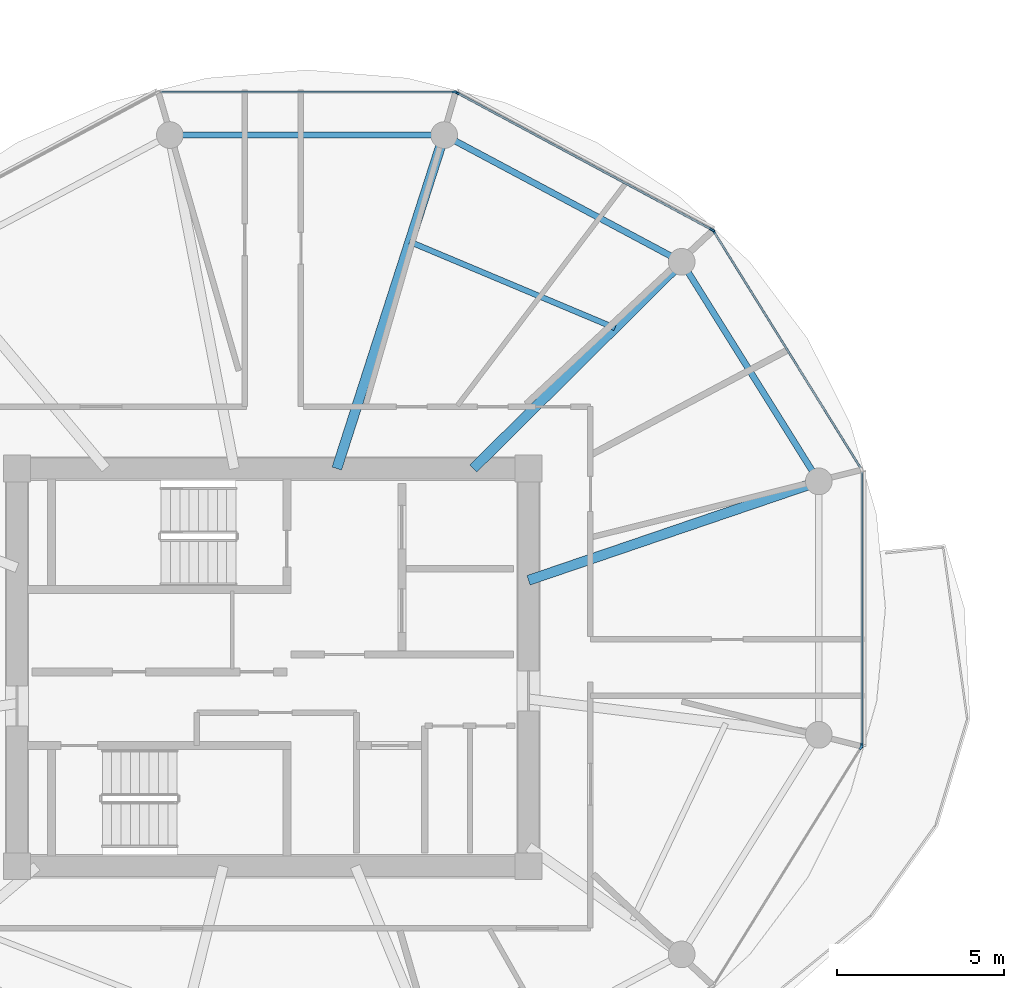
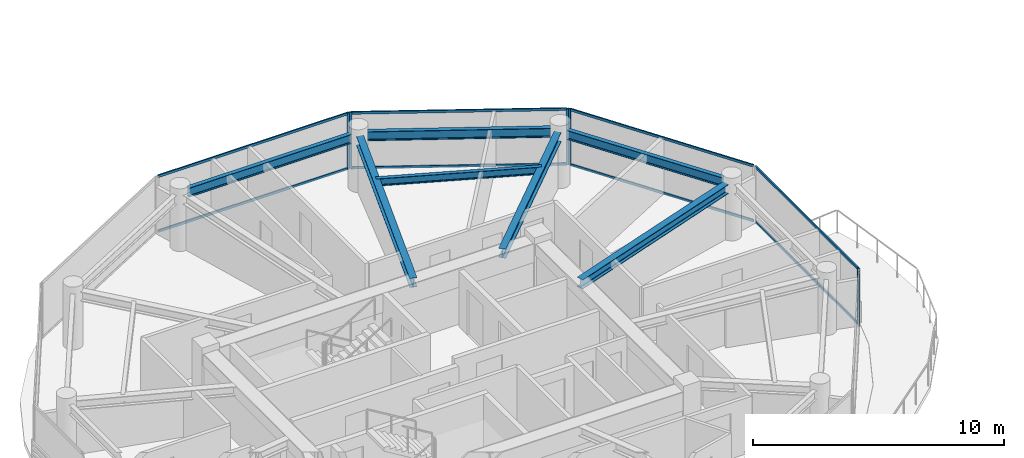
# One storey, part 5 of 22: 14 members, 7 beams, 5 elements without a shape of their own.
"""IFC4 building model written with IfcOpenShell, lengths in metres."""

import ifcopenshell
import ifcopenshell.guid

model = None  # the IFC model being written
_history = None  # IfcOwnerHistory: only IFC2X3 demands one
_inside = {}  # id of a spatial element -> (the spatial element, [elements in it])
_under = {}  # id of a project, library or spatial element -> (it, [spatial elements below it])
_declared = {}  # id of a project -> (the project, [libraries it declares])
_typed = {}  # id of a type object -> (the type object, [elements of that type])
_made_of = {}  # id of a material, layer set ... -> (it, [elements and type objects made of it])


def new_model(schema):
    """Start an empty IFC model of exactly this schema.

    Asked for "IFC4X3", IfcOpenShell would pick the latest addendum, in which some entities
    have other attributes; the version numbers below select the first issue.
    IFC2X3 requires an IfcOwnerHistory on every rooted entity: one is made here for all.
    """
    global model, _history
    if schema == "IFC4X3":
        model = ifcopenshell.file(schema_version=(4, 3, 0, 0))
    else:
        model = ifcopenshell.file(schema=schema)
    _inside.clear()
    _under.clear()
    _declared.clear()
    _typed.clear()
    _made_of.clear()
    _history = None
    if model.schema == "IFC2X3":
        org = make("IfcOrganization", Name="unknown")
        user = make(
            "IfcPersonAndOrganization",
            ThePerson=make("IfcPerson", FamilyName="unknown"),
            TheOrganization=org,
        )
        app = make(
            "IfcApplication",
            ApplicationDeveloper=org,
            Version="unknown",
            ApplicationFullName="unknown",
            ApplicationIdentifier="unknown",
        )
        _history = make(
            "IfcOwnerHistory",
            OwningUser=user,
            OwningApplication=app,
            ChangeAction="ADDED",
            CreationDate=0,
        )
    return model


def make(cls, **values):
    """One entity of the class cls with the attributes given. An attribute that is None is left unset."""
    return model.create_entity(
        cls, **{name: value for name, value in values.items() if value is not None}
    )


def rooted(cls, **values):
    """An entity with a GlobalId (a new one), such as an element, a storey or a relation."""
    return make(cls, GlobalId=ifcopenshell.guid.new(), OwnerHistory=_history, **values)


def si_unit(unit_type, name, prefix=None):
    """IfcSIUnit, for example si_unit("LENGTHUNIT", "METRE", prefix="MILLI")."""
    return make("IfcSIUnit", UnitType=unit_type, Prefix=prefix, Name=name)


def assignment(units):
    """IfcUnitAssignment: the units of a project."""
    return None if units is None else make("IfcUnitAssignment", Units=units)


def point(xyz):
    """IfcCartesianPoint."""
    return None if xyz is None else make("IfcCartesianPoint", Coordinates=xyz)


def direction(xyz):
    """IfcDirection."""
    return None if xyz is None else make("IfcDirection", DirectionRatios=xyz)


def frame(location, z_axis=None, x_axis=None):
    """IfcAxis2Placement3D, a coordinate frame: its origin and axes. An axis left out is left unset."""
    return make(
        "IfcAxis2Placement3D",
        Location=point(location),
        Axis=direction(z_axis),
        RefDirection=direction(x_axis),
    )


def frame_2d(location, x_axis=None):
    """IfcAxis2Placement2D, a coordinate frame in the plane: its origin and x axis."""
    return make(
        "IfcAxis2Placement2D", Location=point(location), RefDirection=direction(x_axis)
    )


def origin():
    """The frame at (0, 0, 0) with its axes left unset."""
    return frame((0.0, 0.0, 0.0))


def origin_2d():
    """The frame at (0, 0) in the plane with its x axis left unset."""
    return frame_2d((0.0, 0.0))


def place(relative_to, where):
    """IfcLocalPlacement: puts the frame where relative to a parent placement (None: the world)."""
    return make(
        "IfcLocalPlacement", PlacementRelTo=relative_to, RelativePlacement=where
    )


def context(
    kind, dimensions, precision=None, world=None, true_north=None, identifier=None
):
    """IfcGeometricRepresentationContext, for example the 3D "Model" context."""
    return make(
        "IfcGeometricRepresentationContext",
        ContextIdentifier=identifier,
        ContextType=kind,
        CoordinateSpaceDimension=dimensions,
        Precision=precision,
        WorldCoordinateSystem=world,
        TrueNorth=true_north,
    )


def subcontext(parent, identifier, kind, view, scale=None):
    """IfcGeometricRepresentationSubContext, for example "Body" below "Model"."""
    return make(
        "IfcGeometricRepresentationSubContext",
        ContextIdentifier=identifier,
        ContextType=kind,
        ParentContext=parent,
        TargetScale=scale,
        TargetView=view,
    )


def project(units=None, contexts=None):
    """IfcProject with its units and contexts."""
    return rooted(
        "IfcProject",
        Name="project",
        RepresentationContexts=contexts,
        UnitsInContext=assignment(units),
    )


def spatial(cls, under=None, at=None, **own):
    """A site, building, storey or space (cls), placed at a placement, below another one or the project."""
    s = rooted(cls, ObjectPlacement=at, **own)
    if under is not None:
        _under.setdefault(under.id(), (under, []))[1].append(s)
    return s


def profile(cls, at=None, kind="AREA", **sizes):
    """A parametric profile (cls). Its sizes go by their IFC names, for example OverallWidth=200.0."""
    return make(cls, ProfileType=kind, Position=at, **sizes)


def rectangle(**sizes):
    """IfcRectangleProfileDef."""
    return profile("IfcRectangleProfileDef", **sizes)


def i_section(**sizes):
    """IfcIShapeProfileDef."""
    return profile("IfcIShapeProfileDef", **sizes)


def extrude(swept, where, along, depth):
    """IfcExtrudedAreaSolid: the profile swept, set in the frame where, extruded along a direction by depth."""
    return make(
        "IfcExtrudedAreaSolid",
        SweptArea=swept,
        Position=where,
        ExtrudedDirection=direction(along),
        Depth=depth,
    )


def shape(context_of_items, identifier, shape_type, items):
    """IfcShapeRepresentation: the items that make up one representation, for example the "Body"."""
    return make(
        "IfcShapeRepresentation",
        ContextOfItems=context_of_items,
        RepresentationIdentifier=identifier,
        RepresentationType=shape_type,
        Items=items,
    )


def source(mapping_origin, context_of_items, identifier, shape_type, items):
    """IfcRepresentationMap: a shape defined once, which mapped items show again and again."""
    return make(
        "IfcRepresentationMap",
        MappingOrigin=mapping_origin,
        MappedRepresentation=shape(context_of_items, identifier, shape_type, items),
    )


def transform(
    local_origin,
    x_axis=None,
    y_axis=None,
    z_axis=None,
    scale=None,
    scale2=None,
    scale3=None,
    uniform=True,
):
    """IfcCartesianTransformationOperator3D, or its non-uniform kind. x_axis, y_axis, z_axis: its Axis1, 2, 3."""
    if uniform:
        return make(
            "IfcCartesianTransformationOperator3D",
            Axis1=direction(x_axis),
            Axis2=direction(y_axis),
            LocalOrigin=point(local_origin),
            Scale=scale,
            Axis3=direction(z_axis),
        )
    return make(
        "IfcCartesianTransformationOperator3DnonUniform",
        Axis1=direction(x_axis),
        Axis2=direction(y_axis),
        LocalOrigin=point(local_origin),
        Scale=scale,
        Axis3=direction(z_axis),
        Scale2=scale2,
        Scale3=scale3,
    )


def mapped(mapping_source, mapping_target):
    """IfcMappedItem: shows the shape of a source again, moved by a transform."""
    return make(
        "IfcMappedItem", MappingSource=mapping_source, MappingTarget=mapping_target
    )


def material(Name=None, Category=None):
    """IfcMaterial."""
    return make("IfcMaterial", Name=Name, Category=Category)


def layer(
    of_material, thickness, ventilated=None, Name=None, Category=None, Priority=None
):
    """IfcMaterialLayer: one layer of a wall or slab, of a material (None: an air gap)."""
    return make(
        "IfcMaterialLayer",
        Material=of_material,
        LayerThickness=thickness,
        IsVentilated=ventilated,
        Name=Name,
        Category=Category,
        Priority=Priority,
    )


def layer_set(layers, Name=None):
    """IfcMaterialLayerSet."""
    return make("IfcMaterialLayerSet", MaterialLayers=layers, LayerSetName=Name)


def material_profile(
    of_material, cross_section, Name=None, Category=None, Priority=None
):
    """IfcMaterialProfile: a cross section and its material."""
    return make(
        "IfcMaterialProfile",
        Name=Name,
        Material=of_material,
        Profile=cross_section,
        Priority=Priority,
        Category=Category,
    )


def profile_set(profiles, Name=None, composite=None):
    """IfcMaterialProfileSet."""
    return make(
        "IfcMaterialProfileSet",
        Name=Name,
        MaterialProfiles=profiles,
        CompositeProfile=composite,
    )


def made_of(thing, what):
    """Note that an element or type object is made of a material, layer set ...; save() writes the relation."""
    if what is not None:
        _made_of.setdefault(what.id(), (what, []))[1].append(thing)
    return thing


def type_object(cls, material=None, **own):
    """A type object (cls), such as IfcWallType, which elements share."""
    return made_of(rooted(cls, **own), material)


def type_shapes(of_type, sources):
    """Give a type object the sources (RepresentationMaps) that its elements show as mapped items."""
    of_type.RepresentationMaps = sources


def element(
    cls,
    number,
    at=None,
    inside=None,
    cuts=None,
    type_object=None,
    material=None,
    context=None,
    identifier="Body",
    shape_type=None,
    held_by="IfcProductDefinitionShape",
    body=None,
    shapes=None,
    **own,
):
    """One element of the class cls, such as IfcWall. Its Tag is "e" and its number.

    at: its placement. inside: the storey or other place that contains it. cuts: it is an
    opening in that element (IfcRelVoidsElement). A single representation is given by context,
    identifier, shape_type and body (its items); several are given by shapes. held_by: the class
    of the entity that holds the representations. save() writes the other relations.
    """
    e = rooted(cls, Tag="e%d" % number, ObjectPlacement=at, **own)
    if body is not None:
        shapes = [shape(context, identifier, shape_type, body)]
    if shapes is not None:
        e.Representation = make(held_by, Representations=shapes)
    if inside is not None:
        _inside.setdefault(inside.id(), (inside, []))[1].append(e)
    if cuts is not None:
        rooted(
            "IfcRelVoidsElement", RelatingBuildingElement=cuts, RelatedOpeningElement=e
        )
    if type_object is not None:
        _typed.setdefault(type_object.id(), (type_object, []))[1].append(e)
    return made_of(e, material)


def aggregate(whole, parts):
    """IfcRelAggregates: a whole, such as a stair, and the parts it consists of."""
    return rooted("IfcRelAggregates", RelatingObject=whole, RelatedObjects=parts)


def save(model, path):
    """Write the relations noted so far, then the file.

    IfcRelAggregates (storeys below a building ...), IfcRelContainedInSpatialStructure (elements
    in a storey), IfcRelDefinesByType, IfcRelAssociatesMaterial and IfcRelDeclares: one each for
    every whole, place, type object, material and project.
    """
    for whole, parts in _under.values():
        aggregate(whole, parts)
    for where, things in _inside.values():
        rooted(
            "IfcRelContainedInSpatialStructure",
            RelatedElements=things,
            RelatingStructure=where,
        )
    for kind, things in _typed.values():
        rooted("IfcRelDefinesByType", RelatedObjects=things, RelatingType=kind)
    for what, things in _made_of.values():
        rooted("IfcRelAssociatesMaterial", RelatedObjects=things, RelatingMaterial=what)
    for by, libraries in _declared.values():
        rooted("IfcRelDeclares", RelatingContext=by, RelatedDefinitions=libraries)
    model.write(path)


model = new_model("IFC4")

# Units and contexts
model_context = context("Model", 3, precision=1e-05, world=origin(), true_north=direction((0.0, 1.0)))
body_context = subcontext(model_context, "Body", "Model", "MODEL_VIEW")
ifc_project = project(units=[si_unit("LENGTHUNIT", "METRE"), si_unit("AREAUNIT", "SQUARE_METRE"), si_unit("VOLUMEUNIT", "CUBIC_METRE"), si_unit("PLANEANGLEUNIT", "RADIAN"), si_unit("MASSUNIT", "GRAM", prefix="KILO")], contexts=[model_context])

# Site, building, storey
site_placement = place(None, origin())
site = spatial("IfcSite", under=ifc_project, at=site_placement, CompositionType="ELEMENT")
building_placement = place(site_placement, origin())
building = spatial("IfcBuilding", under=site, at=building_placement, Name="Norrkilde Senior Care Towers", CompositionType="ELEMENT")
storey_placement = place(building_placement, frame((0.0, 0.0, 183.10009765625)))
storey = spatial("IfcBuildingStorey", under=building, at=storey_placement, Name="L57", CompositionType="ELEMENT", Elevation=183.10009765625)

# Beams
ifc_material_1 = material(Name="Steel S355", Category="steel")
ifc_material_profile_1 = material_profile(ifc_material_1, i_section(OverallWidth=0.18994140625, OverallDepth=0.449951171875, WebThickness=0.009521484375, FlangeThickness=0.0146484375, FilletRadius=0.02099609375, at=origin_2d()), Name="IPE 450")
ifc_profile_set_1 = profile_set([ifc_material_profile_1], Name="Steel S355")
beam_type_1 = type_object("IfcBeamType", Name="Perimeter Ring Spandrel Z3 IPE450", PredefinedType="SPANDREL", material=ifc_profile_set_1)
shared_shape_1 = source(origin(), body_context, "Body", "SweptSolid", [
    extrude(i_section(OverallWidth=0.18994140625, OverallDepth=0.449951171875, WebThickness=0.009521484375, FlangeThickness=0.0146484375, FilletRadius=0.02099609375, at=origin_2d()), origin(), (0.0, 0.0, 1.0), 7.0234375),
])
beam_1_placement = place(storey_placement, frame((-11.855712890625, 5.872314453125, 2.5048828125), z_axis=(-0.529789577822, 0.848129119433, 0.0), x_axis=(-0.848129119433, -0.529789577822, 0.0)))
element("IfcBeam", 1, at=beam_1_placement, inside=storey, type_object=beam_type_1, Name="L57 Drum W Perimeter Spandrel 01", PredefinedType="SPANDREL", context=body_context, shape_type="MappedRepresentation", body=[
    mapped(shared_shape_1, transform((0.0, 0.0, 0.0), x_axis=(1.0, 0.0, 0.0), y_axis=(0.0, 1.0, 0.0), z_axis=(0.0, 0.0, 1.0), scale=1.0)),
])
ifc_material_profile_2 = material_profile(ifc_material_1, i_section(OverallWidth=0.300048828125, OverallDepth=0.449951171875, WebThickness=0.013916015625, FlangeThickness=0.02587890625, FilletRadius=0.027099609375, at=origin_2d()), Name="HEB 450")
ifc_profile_set_2 = profile_set([ifc_material_profile_2], Name="Steel S355")
beam_type_2 = type_object("IfcBeamType", Name="Radial Floor Beam Z3 HEB450", PredefinedType="BEAM", material=ifc_profile_set_2)
shared_shape_2 = source(origin(), body_context, "Body", "SweptSolid", [
    extrude(i_section(OverallWidth=0.300048828125, OverallDepth=0.449951171875, WebThickness=0.013916015625, FlangeThickness=0.02587890625, FilletRadius=0.027099609375, at=origin_2d()), origin(), (0.0, 0.0, 1.0), 8.8154296875),
])
beam_2_placement = place(storey_placement, frame((-20.35009765625, 2.607177734375, 2.5048828125), z_axis=(0.946540556878, 0.322584832539, 0.0), x_axis=(-0.322584832539, 0.946540556878, 0.0)))
element("IfcBeam", 2, at=beam_2_placement, inside=storey, type_object=beam_type_2, Name="L57 Drum W Radial Floor Beam 01", PredefinedType="BEAM", context=body_context, shape_type="MappedRepresentation", body=[
    mapped(shared_shape_2, transform((0.0, 0.0, 0.0), x_axis=(1.0, 0.0, 0.0), y_axis=(0.0, 1.0, 0.0), z_axis=(0.0, 0.0, 1.0), scale=1.0)),
])
shared_shape_3 = source(origin(), body_context, "Body", "SweptSolid", [
    extrude(i_section(OverallWidth=0.18994140625, OverallDepth=0.449951171875, WebThickness=0.009521484375, FlangeThickness=0.0146484375, FilletRadius=0.02099609375, at=origin_2d()), origin(), (0.0, 0.0, 1.0), 7.333740234375),
])
beam_3_placement = place(storey_placement, frame((-16.0849609375, 12.303955078125, 2.5048828125), z_axis=(-0.882247866069, 0.470785198172, 0.0), x_axis=(-0.470785198172, -0.882247866069, 0.0)))
element("IfcBeam", 3, at=beam_3_placement, inside=storey, type_object=beam_type_1, Name="L57 Drum W Perimeter Spandrel 02", PredefinedType="SPANDREL", context=body_context, shape_type="MappedRepresentation", body=[
    mapped(shared_shape_3, transform((0.0, 0.0, 0.0), x_axis=(1.0, 0.0, 0.0), y_axis=(0.0, 1.0, 0.0), z_axis=(0.0, 0.0, 1.0), scale=1.0)),
])
shared_shape_4 = source(origin(), body_context, "Body", "SweptSolid", [
    extrude(i_section(OverallWidth=0.300048828125, OverallDepth=0.449951171875, WebThickness=0.013916015625, FlangeThickness=0.02587890625, FilletRadius=0.027099609375, at=origin_2d()), origin(), (0.0, 0.0, 1.0), 8.421630859375),
])
beam_4_placement = place(storey_placement, frame((-22.001953125, 5.949951171875, 2.5048828125), z_axis=(0.709956495972, 0.704245535184, 0.0), x_axis=(-0.704245535184, 0.709956495972, 0.0)))
element("IfcBeam", 4, at=beam_4_placement, inside=storey, type_object=beam_type_2, Name="L57 Drum W Radial Floor Beam 02", PredefinedType="BEAM", context=body_context, shape_type="MappedRepresentation", body=[
    mapped(shared_shape_4, transform((0.0, 0.0, 0.0), x_axis=(1.0, 0.0, 0.0), y_axis=(0.0, 1.0, 0.0), z_axis=(0.0, 0.0, 1.0), scale=1.0)),
])
shared_shape_5 = source(origin(), body_context, "Body", "SweptSolid", [
    extrude(i_section(OverallWidth=0.18994140625, OverallDepth=0.449951171875, WebThickness=0.009521484375, FlangeThickness=0.0146484375, FilletRadius=0.02099609375, at=origin_2d()), origin(), (0.0, 0.0, 1.0), 7.484619140625),
])
type_shapes(beam_type_1, [shared_shape_1, shared_shape_3, shared_shape_5])
beam_5_placement = place(storey_placement, frame((-23.232666015625, 15.92626953125, 2.5048828125), z_axis=(-1.0, 0.0, 0.0), x_axis=(0.0, -1.0, 0.0)))
element("IfcBeam", 5, at=beam_5_placement, inside=storey, type_object=beam_type_1, Name="L57 Drum W Perimeter Spandrel 03", PredefinedType="SPANDREL", context=body_context, shape_type="MappedRepresentation", body=[
    mapped(shared_shape_5, transform((0.0, 0.0, 0.0), x_axis=(1.0, 0.0, 0.0), y_axis=(0.0, 1.0, 0.0), z_axis=(0.0, 0.0, 1.0), scale=1.0)),
])
shared_shape_6 = source(origin(), body_context, "Body", "SweptSolid", [
    extrude(i_section(OverallWidth=0.300048828125, OverallDepth=0.449951171875, WebThickness=0.013916015625, FlangeThickness=0.02587890625, FilletRadius=0.027099609375, at=origin_2d()), origin(), (0.0, 0.0, 1.0), 10.120361328125),
])
type_shapes(beam_type_2, [shared_shape_2, shared_shape_4, shared_shape_6])
beam_6_placement = place(storey_placement, frame((-26.08447265625, 5.949951171875, 2.5048828125), z_axis=(0.306440973744, 0.951889662519, 0.0), x_axis=(-0.951889662519, 0.306440973744, 0.0)))
element("IfcBeam", 6, at=beam_6_placement, inside=storey, type_object=beam_type_2, Name="L57 Drum W Radial Floor Beam 03", PredefinedType="BEAM", context=body_context, shape_type="MappedRepresentation", body=[
    mapped(shared_shape_6, transform((0.0, 0.0, 0.0), x_axis=(1.0, 0.0, 0.0), y_axis=(0.0, 1.0, 0.0), z_axis=(0.0, 0.0, 1.0), scale=1.0)),
])
ifc_material_profile_3 = material_profile(ifc_material_1, i_section(OverallWidth=0.169921875, OverallDepth=0.360107421875, WebThickness=0.008056640625, FlangeThickness=0.0126953125, FilletRadius=0.01806640625, at=origin_2d()), Name="IPE 360")
ifc_profile_set_3 = profile_set([ifc_material_profile_3], Name="Steel S355")
beam_type_3 = type_object("IfcBeamType", Name="Secondary Floor Joist IPE360", PredefinedType="JOIST", material=ifc_profile_set_3)
shared_shape_7 = source(origin(), body_context, "Body", "SweptSolid", [
    extrude(i_section(OverallWidth=0.169921875, OverallDepth=0.360107421875, WebThickness=0.008056640625, FlangeThickness=0.0126953125, FilletRadius=0.01806640625, at=origin_2d()), origin(), (0.0, 0.0, 1.0), 6.657470703125),
])
type_shapes(beam_type_3, [shared_shape_7])
beam_7_placement = place(storey_placement, frame((-17.762451171875, 10.155517578125, 2.5498046875), z_axis=(-0.921958799252, 0.387287971, 0.0), x_axis=(-0.387287971, -0.921958799252, 0.0)))
element("IfcBeam", 7, at=beam_7_placement, inside=storey, type_object=beam_type_3, Name="L57 Drum W Secondary Floor Joist 1", PredefinedType="JOIST", context=body_context, shape_type="MappedRepresentation", body=[
    mapped(shared_shape_7, transform((0.0, 0.0, 0.0), x_axis=(1.0, 0.0, 0.0), y_axis=(0.0, 1.0, 0.0), z_axis=(0.0, 0.0, 1.0), scale=1.0)),
])

# Curtain wall, members
ifc_material_2 = material(Name="Triple Low-E Insulated Glazing", Category="glass")
ifc_layer = layer(ifc_material_2, 0.18994140625)
ifc_layer_set = layer_set([ifc_layer], Name="Triple Low-E Insulated Glazing")
curtain_wall_type = type_object("IfcCurtainWallType", Name="CW4 Zone 3 Senior Residence Curtain Wall", PredefinedType="NOTDEFINED", material=ifc_layer_set)
curtain_wall_1_placement = place(storey_placement, origin())
curtain_wall_1 = element("IfcCurtainWall", 8, at=curtain_wall_1_placement, inside=storey, type_object=curtain_wall_type, Name="L57 Drum W Curtain Wall 00", PredefinedType="NOTDEFINED")
ifc_material_3 = material(Name="Anodised Aluminium", Category="aluminium")
ifc_material_profile_4 = material_profile(ifc_material_3, rectangle(XDim=0.06005859375, YDim=0.1201171875, at=origin_2d()), Name="ALU TRAN 60x120")
ifc_profile_set_4 = profile_set([ifc_material_profile_4], Name="Anodised Aluminium")
member_type_1 = type_object("IfcMemberType", Name="Curtain Wall Transom Typical 60x120", PredefinedType="USERDEFINED", material=ifc_profile_set_4)
shared_shape_8 = source(origin(), body_context, "Body", "SweptSolid", [
    extrude(rectangle(XDim=0.06005859375, YDim=0.1201171875, at=origin_2d()), origin(), (0.0, 0.0, 1.0), 8.301513671875),
])
member_1_placement = place(storey_placement, frame((-14.792724609375, 13.019775390625, 0.02978515625), z_axis=(0.527368718394, -0.849636531029, 0.0), x_axis=(0.849636531029, 0.527368718394, 0.0)))
member_1 = element("IfcMember", 9, at=member_1_placement, type_object=member_type_1, Name="CW-4 transom 1.1", ObjectType="TRANSOM", PredefinedType="USERDEFINED", context=body_context, shape_type="MappedRepresentation", body=[
    mapped(shared_shape_8, transform((0.0, 0.0, 0.0), x_axis=(1.0, 0.0, 0.0), y_axis=(0.0, 1.0, 0.0), z_axis=(0.0, 0.0, 1.0), scale=1.0)),
])
member_2_placement = place(storey_placement, frame((-14.792724609375, 13.019775390625, 2.699951171875), z_axis=(0.527368718394, -0.849636531029, 0.0), x_axis=(0.849636531029, 0.527368718394, 0.0)))
member_2 = element("IfcMember", 10, at=member_2_placement, type_object=member_type_1, Name="CW-4 transom 1.2", ObjectType="TRANSOM", PredefinedType="USERDEFINED", context=body_context, shape_type="MappedRepresentation", body=[
    mapped(shared_shape_8, transform((0.0, 0.0, 0.0), x_axis=(1.0, 0.0, 0.0), y_axis=(0.0, 1.0, 0.0), z_axis=(0.0, 0.0, 1.0), scale=1.0)),
])

curtain_wall_2_placement = place(storey_placement, origin())
curtain_wall_2 = element("IfcCurtainWall", 11, at=curtain_wall_2_placement, inside=storey, type_object=curtain_wall_type, Name="L57 Drum W Curtain Wall 01", PredefinedType="NOTDEFINED")
shared_shape_9 = source(origin(), body_context, "Body", "SweptSolid", [
    extrude(rectangle(XDim=0.06005859375, YDim=0.1201171875, at=origin_2d()), origin(), (0.0, 0.0, 1.0), 8.61181640625),
])
member_3_placement = place(storey_placement, frame((-22.47119140625, 17.18017578125, 0.02978515625), z_axis=(0.880993991641, -0.473127452906, 0.0), x_axis=(0.473127452906, 0.880993991641, 0.0)))
member_3 = element("IfcMember", 12, at=member_3_placement, type_object=member_type_1, Name="CW-4 transom 1.1", ObjectType="TRANSOM", PredefinedType="USERDEFINED", context=body_context, shape_type="MappedRepresentation", body=[
    mapped(shared_shape_9, transform((0.0, 0.0, 0.0), x_axis=(1.0, 0.0, 0.0), y_axis=(0.0, 1.0, 0.0), z_axis=(0.0, 0.0, 1.0), scale=1.0)),
])
member_4_placement = place(storey_placement, frame((-22.47119140625, 17.18017578125, 2.699951171875), z_axis=(0.880993991641, -0.473127452906, 0.0), x_axis=(0.473127452906, 0.880993991641, 0.0)))
member_4 = element("IfcMember", 13, at=member_4_placement, type_object=member_type_1, Name="CW-4 transom 1.2", ObjectType="TRANSOM", PredefinedType="USERDEFINED", context=body_context, shape_type="MappedRepresentation", body=[
    mapped(shared_shape_9, transform((0.0, 0.0, 0.0), x_axis=(1.0, 0.0, 0.0), y_axis=(0.0, 1.0, 0.0), z_axis=(0.0, 0.0, 1.0), scale=1.0)),
])

curtain_wall_3_placement = place(storey_placement, origin())
curtain_wall_3 = element("IfcCurtainWall", 14, at=curtain_wall_3_placement, inside=storey, type_object=curtain_wall_type, Name="L57 Drum W Curtain Wall 02", PredefinedType="NOTDEFINED")
shared_shape_10 = source(origin(), body_context, "Body", "SweptSolid", [
    extrude(rectangle(XDim=0.06005859375, YDim=0.1201171875, at=origin_2d()), origin(), (0.0, 0.0, 1.0), 8.762939453125),
])
member_5_placement = place(storey_placement, frame((-31.3564453125, 17.2109375, 0.02978515625), z_axis=(1.0, 0.0, 0.0), x_axis=(0.0, 1.0, 0.0)))
member_5 = element("IfcMember", 15, at=member_5_placement, type_object=member_type_1, Name="CW-4 transom 1.1", ObjectType="TRANSOM", PredefinedType="USERDEFINED", context=body_context, shape_type="MappedRepresentation", body=[
    mapped(shared_shape_10, transform((0.0, 0.0, 0.0), x_axis=(1.0, 0.0, 0.0), y_axis=(0.0, 1.0, 0.0), z_axis=(0.0, 0.0, 1.0), scale=1.0)),
])
member_6_placement = place(storey_placement, frame((-31.3564453125, 17.2109375, 2.699951171875), z_axis=(1.0, 0.0, 0.0), x_axis=(0.0, 1.0, 0.0)))
member_6 = element("IfcMember", 16, at=member_6_placement, type_object=member_type_1, Name="CW-4 transom 1.2", ObjectType="TRANSOM", PredefinedType="USERDEFINED", context=body_context, shape_type="MappedRepresentation", body=[
    mapped(shared_shape_10, transform((0.0, 0.0, 0.0), x_axis=(1.0, 0.0, 0.0), y_axis=(0.0, 1.0, 0.0), z_axis=(0.0, 0.0, 1.0), scale=1.0)),
])

curtain_wall_4_placement = place(storey_placement, origin())
curtain_wall_4 = element("IfcCurtainWall", 17, at=curtain_wall_4_placement, inside=storey, type_object=curtain_wall_type, Name="L57 Drum W Curtain Wall 11", PredefinedType="NOTDEFINED")
shared_shape_11 = source(origin(), body_context, "Body", "SweptSolid", [
    extrude(rectangle(XDim=0.06005859375, YDim=0.1201171875, at=origin_2d()), origin(), (0.0, 0.0, 1.0), 8.141845703125),
])
type_shapes(member_type_1, [shared_shape_8, shared_shape_9, shared_shape_10, shared_shape_11])
member_7_placement = place(storey_placement, frame((-10.38037109375, 5.84619140625, 0.02978515625), z_axis=(0.0, -1.0, 0.0), x_axis=(1.0, 0.0, 0.0)))
member_7 = element("IfcMember", 18, at=member_7_placement, type_object=member_type_1, Name="CW-4 transom 1.1", ObjectType="TRANSOM", PredefinedType="USERDEFINED", context=body_context, shape_type="MappedRepresentation", body=[
    mapped(shared_shape_11, transform((0.0, 0.0, 0.0), x_axis=(1.0, 0.0, 0.0), y_axis=(0.0, 1.0, 0.0), z_axis=(0.0, 0.0, 1.0), scale=1.0)),
])
member_8_placement = place(storey_placement, frame((-10.38037109375, 5.84619140625, 2.699951171875), z_axis=(0.0, -1.0, 0.0), x_axis=(1.0, 0.0, 0.0)))
member_8 = element("IfcMember", 19, at=member_8_placement, type_object=member_type_1, Name="CW-4 transom 1.2", ObjectType="TRANSOM", PredefinedType="USERDEFINED", context=body_context, shape_type="MappedRepresentation", body=[
    mapped(shared_shape_11, transform((0.0, 0.0, 0.0), x_axis=(1.0, 0.0, 0.0), y_axis=(0.0, 1.0, 0.0), z_axis=(0.0, 0.0, 1.0), scale=1.0)),
])

# Member
ifc_material_profile_5 = material_profile(ifc_material_3, rectangle(XDim=0.06494140625, YDim=0.14990234375, at=origin_2d()), Name="ALU MULL 65x150")
ifc_profile_set_5 = profile_set([ifc_material_profile_5], Name="Anodised Aluminium")
member_type_2 = type_object("IfcMemberType", Name="Curtain Wall Mullion Z3-Z4 65x150", PredefinedType="MULLION", material=ifc_profile_set_5)
shared_shape_12 = source(origin(), body_context, "Body", "SweptSolid", [
    extrude(rectangle(XDim=0.06494140625, YDim=0.14990234375, at=origin_2d()), origin(), (0.0, 0.0, 1.0), 2.72998046875),
])
type_shapes(member_type_2, [shared_shape_12])
member_9_placement = place(storey_placement, frame((-14.809814453125, 13.04736328125, 0.0), z_axis=(0.0, 0.0, 1.0), x_axis=(0.84963405474, 0.52737270789, 0.0)))
member_9 = element("IfcMember", 20, at=member_9_placement, type_object=member_type_2, Name="CW-4 mullion 1", PredefinedType="MULLION", context=body_context, shape_type="MappedRepresentation", body=[
    mapped(shared_shape_12, transform((0.0, 0.0, 0.0), x_axis=(1.0, 0.0, 0.0), y_axis=(0.0, 1.0, 0.0), z_axis=(0.0, 0.0, 1.0), scale=1.0)),
])

aggregate(curtain_wall_1, [member_9, member_1, member_2])

member_10_placement = place(storey_placement, frame((-22.499755859375, 17.195556640625, 0.0), z_axis=(0.0, 0.0, 1.0), x_axis=(0.47311715104, 0.880999524059, 0.0)))
member_10 = element("IfcMember", 21, at=member_10_placement, type_object=member_type_2, Name="CW-4 mullion 1", PredefinedType="MULLION", context=body_context, shape_type="MappedRepresentation", body=[
    mapped(shared_shape_12, transform((0.0, 0.0, 0.0), x_axis=(1.0, 0.0, 0.0), y_axis=(0.0, 1.0, 0.0), z_axis=(0.0, 0.0, 1.0), scale=1.0)),
])

member_11_placement = place(storey_placement, frame((-14.85546875, 13.09033203125, 0.0), z_axis=(0.0, 0.0, 1.0), x_axis=(0.47311715104, 0.880999524059, 0.0)))
member_11 = element("IfcMember", 22, at=member_11_placement, type_object=member_type_2, Name="CW-4 mullion 2", PredefinedType="MULLION", context=body_context, shape_type="MappedRepresentation", body=[
    mapped(shared_shape_12, transform((0.0, 0.0, 0.0), x_axis=(1.0, 0.0, 0.0), y_axis=(0.0, 1.0, 0.0), z_axis=(0.0, 0.0, 1.0), scale=1.0)),
])

aggregate(curtain_wall_2, [member_10, member_11, member_3, member_4])

member_12_placement = place(storey_placement, frame((-22.56103515625, 17.2109375, 0.0), z_axis=(0.0, 0.0, 1.0), x_axis=(0.0, 1.0, 0.0)))
member_12 = element("IfcMember", 23, at=member_12_placement, type_object=member_type_2, Name="CW-4 mullion 2", PredefinedType="MULLION", context=body_context, shape_type="MappedRepresentation", body=[
    mapped(shared_shape_12, transform((0.0, 0.0, 0.0), x_axis=(1.0, 0.0, 0.0), y_axis=(0.0, 1.0, 0.0), z_axis=(0.0, 0.0, 1.0), scale=1.0)),
])

aggregate(curtain_wall_3, [member_12, member_5, member_6])

# Curtain wall, member
curtain_wall_5_placement = place(storey_placement, origin())
curtain_wall_5 = element("IfcCurtainWall", 24, at=curtain_wall_5_placement, inside=storey, type_object=curtain_wall_type, Name="L57 Drum W Curtain Wall 10", PredefinedType="NOTDEFINED")
member_13_placement = place(storey_placement, frame((-10.3974609375, -2.38818359375, 0.0), z_axis=(0.0, 0.0, 1.0), x_axis=(0.84963405474, -0.52737270789, 0.0)))
member_13 = element("IfcMember", 25, at=member_13_placement, type_object=member_type_2, Name="CW-4 mullion 1", PredefinedType="MULLION", context=body_context, shape_type="MappedRepresentation", body=[
    mapped(shared_shape_12, transform((0.0, 0.0, 0.0), x_axis=(1.0, 0.0, 0.0), y_axis=(0.0, 1.0, 0.0), z_axis=(0.0, 0.0, 1.0), scale=1.0)),
])
aggregate(curtain_wall_5, [member_13])

# Member
member_14_placement = place(storey_placement, frame((-10.38037109375, -2.328125, 0.0), z_axis=(0.0, 0.0, 1.0), x_axis=(1.0, 0.0, 0.0)))
member_14 = element("IfcMember", 26, at=member_14_placement, type_object=member_type_2, Name="CW-4 mullion 2", PredefinedType="MULLION", context=body_context, shape_type="MappedRepresentation", body=[
    mapped(shared_shape_12, transform((0.0, 0.0, 0.0), x_axis=(1.0, 0.0, 0.0), y_axis=(0.0, 1.0, 0.0), z_axis=(0.0, 0.0, 1.0), scale=1.0)),
])

aggregate(curtain_wall_4, [member_14, member_7, member_8])

save(model, "model.ifc")
